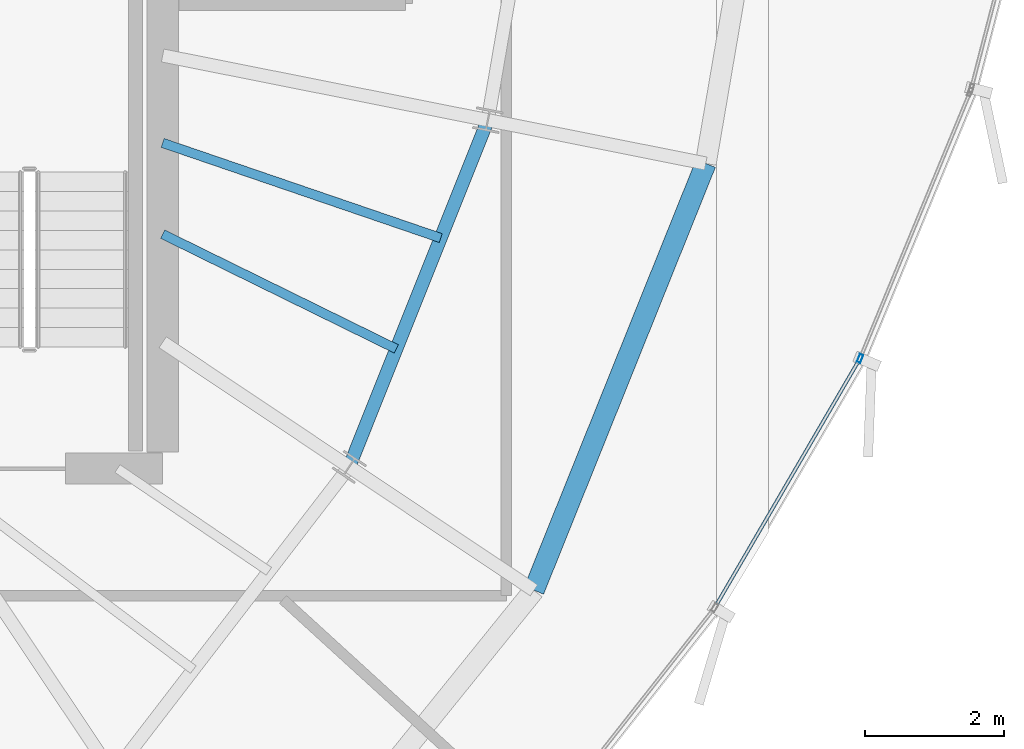
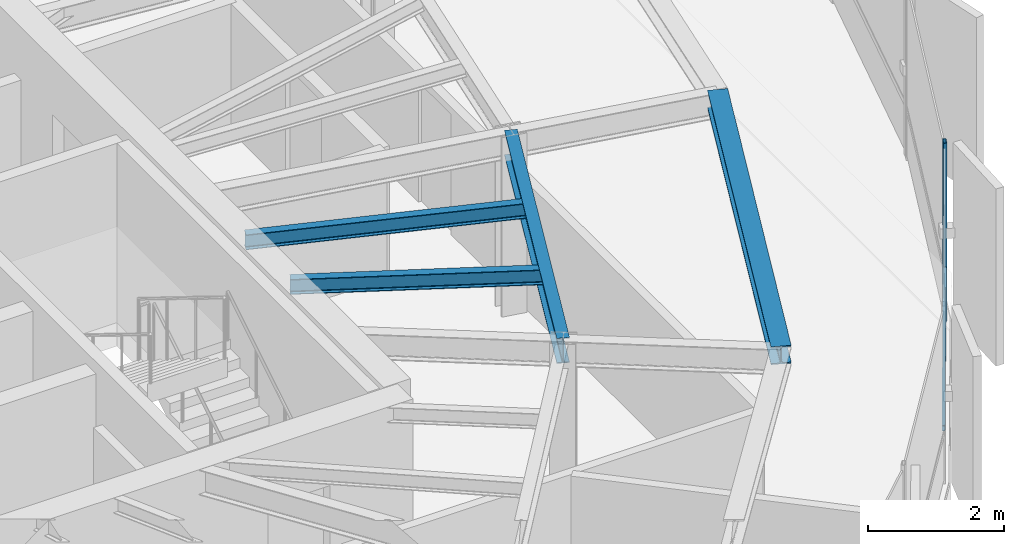
# One storey, part 14 of 36: 4 beams, 2 members, 1 element without a shape of its own.
"""IFC4 building model written with IfcOpenShell, lengths in metres."""

from ifc_helpers import new_model, si_unit, direction, frame, origin, origin_2d, place, context, subcontext, project, spatial, hollow_rectangle, i_section, extrude, source, transform, mapped, material, layer, layer_set, material_profile, profile_set, type_object, element, aggregate, save


model = new_model("IFC4")

# Units and contexts
model_context = context("Model", 3, precision=1e-05, world=origin(), true_north=direction((0.0, 1.0)))
body_context = subcontext(model_context, "Body", "Model", "MODEL_VIEW")
ifc_project = project(units=[si_unit("LENGTHUNIT", "METRE"), si_unit("AREAUNIT", "SQUARE_METRE"), si_unit("VOLUMEUNIT", "CUBIC_METRE"), si_unit("PLANEANGLEUNIT", "RADIAN"), si_unit("MASSUNIT", "GRAM", prefix="KILO"), si_unit("THERMODYNAMICTEMPERATUREUNIT", "KELVIN")], contexts=[model_context])

# Site, building, storey
site_placement = place(None, origin())
site = spatial("IfcSite", under=ifc_project, at=site_placement, CompositionType="ELEMENT")
building_placement = place(site_placement, origin())
building = spatial("IfcBuilding", under=site, at=building_placement, Name="Kethvar Cultural Tower", CompositionType="ELEMENT")
storey_placement = place(building_placement, frame((0.0, 0.0, 228.39990234375)))
storey = spatial("IfcBuildingStorey", under=building, at=storey_placement, Name="L59", CompositionType="ELEMENT", Elevation=228.39990234375)

# Beams
ifc_material_1 = material(Name="Steel S355J2", Category="steel")
ifc_material_profile_1 = material_profile(ifc_material_1, i_section(OverallWidth=0.18994140625, OverallDepth=0.449951171875, WebThickness=0.009521484375, FlangeThickness=0.0146484375, FilletRadius=0.02099609375, at=origin_2d()), Name="Steel S355J2 — IPE450")
ifc_profile_set_1 = profile_set([ifc_material_profile_1], Name="Steel S355J2 — IPE450")
beam_type_1 = type_object("IfcBeamType", Name="BM-IPE450", PredefinedType="BEAM", material=ifc_profile_set_1)
shared_shape_1 = source(origin(), body_context, "Body", "SweptSolid", [
    extrude(i_section(OverallWidth=0.18994140625, OverallDepth=0.449951171875, WebThickness=0.009521484375, FlangeThickness=0.0146484375, FilletRadius=0.02099609375, at=origin_2d()), origin(), (0.0, 0.0, 1.0), 5.377685546875),
])
beam_1_placement = place(storey_placement, frame((58.287109375, 20.12451171875, 2.983154296875), z_axis=(0.371265436914, 0.928526776864, 0.0), x_axis=(-0.928526776864, 0.371265436914, 0.0)))
element("IfcBeam", 1, at=beam_1_placement, inside=storey, type_object=beam_type_1, Name="L59 Column Ring Tie Beam CR-15", PredefinedType="BEAM", context=body_context, shape_type="MappedRepresentation", body=[
    mapped(shared_shape_1, transform((0.0, 0.0, 0.0), scale=1.0)),
])
ifc_material_profile_2 = material_profile(ifc_material_1, i_section(OverallWidth=0.300048828125, OverallDepth=0.320068359375, WebThickness=0.011474609375, FlangeThickness=0.0205078125, FilletRadius=0.027099609375, at=origin_2d()), Name="Steel S355J2 — HEB320")
ifc_profile_set_2 = profile_set([ifc_material_profile_2], Name="Steel S355J2 — HEB320")
beam_type_2 = type_object("IfcBeamType", Name="BM-SP320", PredefinedType="SPANDREL", material=ifc_profile_set_2)
shared_shape_2 = source(origin(), body_context, "Body", "SweptSolid", [
    extrude(i_section(OverallWidth=0.300048828125, OverallDepth=0.320068359375, WebThickness=0.011474609375, FlangeThickness=0.0205078125, FilletRadius=0.027099609375, at=origin_2d()), origin(), (0.0, 0.0, 1.0), 6.626220703125),
])
beam_2_placement = place(storey_placement, frame((60.94775390625, 18.3466796875, 3.048095703125), z_axis=(0.373416224197, 0.927663906545, 0.0), x_axis=(-0.927663906545, 0.373416224197, 0.0)))
element("IfcBeam", 2, at=beam_2_placement, inside=storey, type_object=beam_type_2, Name="L59 Perimeter Spandrel Beam SP-15", PredefinedType="SPANDREL", context=body_context, shape_type="MappedRepresentation", body=[
    mapped(shared_shape_2, transform((0.0, 0.0, 0.0), scale=1.0)),
])
ifc_material_profile_3 = material_profile(ifc_material_1, i_section(OverallWidth=0.135009765625, OverallDepth=0.27001953125, WebThickness=0.006591796875, FlangeThickness=0.01025390625, FilletRadius=0.014892578125, at=origin_2d()), Name="Steel S355J2 — IPE270")
ifc_profile_set_3 = profile_set([ifc_material_profile_3], Name="Steel S355J2 — IPE270")
beam_type_3 = type_object("IfcBeamType", Name="BM-J270", PredefinedType="JOIST", material=ifc_profile_set_3)
shared_shape_3 = source(origin(), body_context, "Body", "SweptSolid", [
    extrude(i_section(OverallWidth=0.135009765625, OverallDepth=0.27001953125, WebThickness=0.006591796875, FlangeThickness=0.01025390625, FilletRadius=0.014892578125, at=origin_2d()), origin(), (0.0, 0.0, 1.0), 3.75),
])
beam_3_placement = place(storey_placement, frame((55.60009765625, 23.476318359375, 3.072998046875), z_axis=(0.8975046019, -0.441005090184, 0.0), x_axis=(0.441005090184, 0.8975046019, 0.0)))
element("IfcBeam", 3, at=beam_3_placement, inside=storey, type_object=beam_type_3, Name="L59 Composite Floor Joist J-15A", PredefinedType="JOIST", context=body_context, shape_type="MappedRepresentation", body=[
    mapped(shared_shape_3, transform((0.0, 0.0, 0.0), scale=1.0)),
])
shared_shape_4 = source(origin(), body_context, "Body", "SweptSolid", [
    extrude(i_section(OverallWidth=0.135009765625, OverallDepth=0.27001953125, WebThickness=0.006591796875, FlangeThickness=0.01025390625, FilletRadius=0.014892578125, at=origin_2d()), origin(), (0.0, 0.0, 1.0), 4.232421875),
])
beam_4_placement = place(storey_placement, frame((55.60009765625, 24.7900390625, 3.072998046875), z_axis=(0.946173747357, -0.323659141402, 0.0), x_axis=(0.323659141402, 0.946173747357, 0.0)))
element("IfcBeam", 4, at=beam_4_placement, inside=storey, type_object=beam_type_3, Name="L59 Composite Floor Joist J-15B", PredefinedType="JOIST", context=body_context, shape_type="MappedRepresentation", body=[
    mapped(shared_shape_4, transform((0.0, 0.0, 0.0), scale=1.0)),
])

# Curtain wall, members
ifc_material_2 = material(Name="Aluminium 6063-T6", Category="aluminium")
ifc_layer = layer(ifc_material_2, 0.179931640625, Name="Aluminium 6063-T6", Category="aluminium")
ifc_layer_set = layer_set([ifc_layer], Name="Aluminium 6063-T6 (180 mm)")
curtain_wall_type = type_object("IfcCurtainWallType", Name="CW-SYS-05-Z56", PredefinedType="NOTDEFINED", material=ifc_layer_set)
curtain_wall_placement = place(storey_placement, origin())
curtain_wall = element("IfcCurtainWall", 5, at=curtain_wall_placement, inside=storey, type_object=curtain_wall_type, Name="L59 Curtain Wall Run 05", PredefinedType="NOTDEFINED")
ifc_material_profile_4 = material_profile(ifc_material_2, hollow_rectangle(XDim=0.054931640625, YDim=0.1201171875, WallThickness=0.00390625, at=origin_2d()), Name="Aluminium 6063-T6 — RHS120x55x4")
ifc_profile_set_4 = profile_set([ifc_material_profile_4], Name="Aluminium 6063-T6 — RHS120x55x4")
member_type_1 = type_object("IfcMemberType", Name="CW-SYS-05-Z56-MUL", PredefinedType="MULLION", material=ifc_profile_set_4)
shared_shape_5 = source(origin(), body_context, "Body", "SweptSolid", [
    extrude(hollow_rectangle(XDim=0.054931640625, YDim=0.1201171875, WallThickness=0.00390625, at=origin_2d()), origin(), (0.0, 0.0, 1.0), 3.210205078125),
])
member_1_placement = place(storey_placement, frame((65.644775390625, 21.685302734375, 0.0), z_axis=(0.0, 0.0, 1.0), x_axis=(-0.924279771018, 0.381715738328, 0.0)))
member_1 = element("IfcMember", 6, at=member_1_placement, type_object=member_type_1, Name="CW-L59-R05 Mullion 6", PredefinedType="MULLION", context=body_context, shape_type="MappedRepresentation", body=[
    mapped(shared_shape_5, transform((0.0, 0.0, 0.0), scale=1.0)),
])
ifc_material_profile_5 = material_profile(ifc_material_2, hollow_rectangle(XDim=0.050048828125, YDim=0.10009765625, WallThickness=0.00390625, at=origin_2d()), Name="Aluminium 6063-T6 — RHS100x50x4")
ifc_profile_set_5 = profile_set([ifc_material_profile_5], Name="Aluminium 6063-T6 — RHS100x50x4")
member_type_2 = type_object("IfcMemberType", Name="CW-SYS-05-Z56-TRN", PredefinedType="USERDEFINED", material=ifc_profile_set_5)
shared_shape_6 = source(origin(), body_context, "Body", "SweptSolid", [
    extrude(hollow_rectangle(XDim=0.050048828125, YDim=0.10009765625, WallThickness=0.00390625, at=origin_2d()), origin(), (0.0, 0.0, 1.0), 4.091064453125),
])
member_2_placement = place(storey_placement, frame((63.570556640625, 18.12890625, 0.9501953125), z_axis=(0.503607560984, 0.863932534704, 0.0), x_axis=(-0.863932534704, 0.503607560984, 0.0)))
member_2 = element("IfcMember", 7, at=member_2_placement, type_object=member_type_2, Name="CW-L59-R05 Transom 5", ObjectType="TRANSOM", PredefinedType="USERDEFINED", context=body_context, shape_type="MappedRepresentation", body=[
    mapped(shared_shape_6, transform((0.0, 0.0, 0.0), scale=1.0)),
])
aggregate(curtain_wall, [member_1, member_2])

save(model, "model.ifc")
